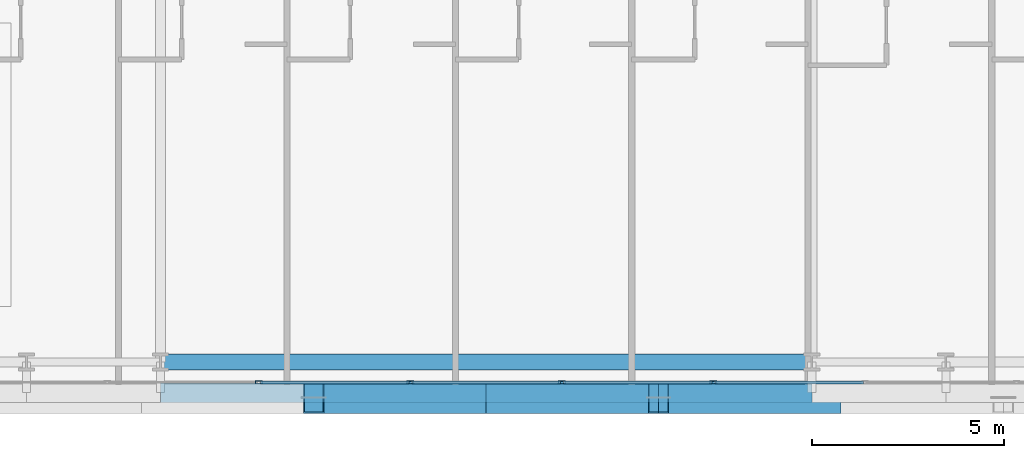
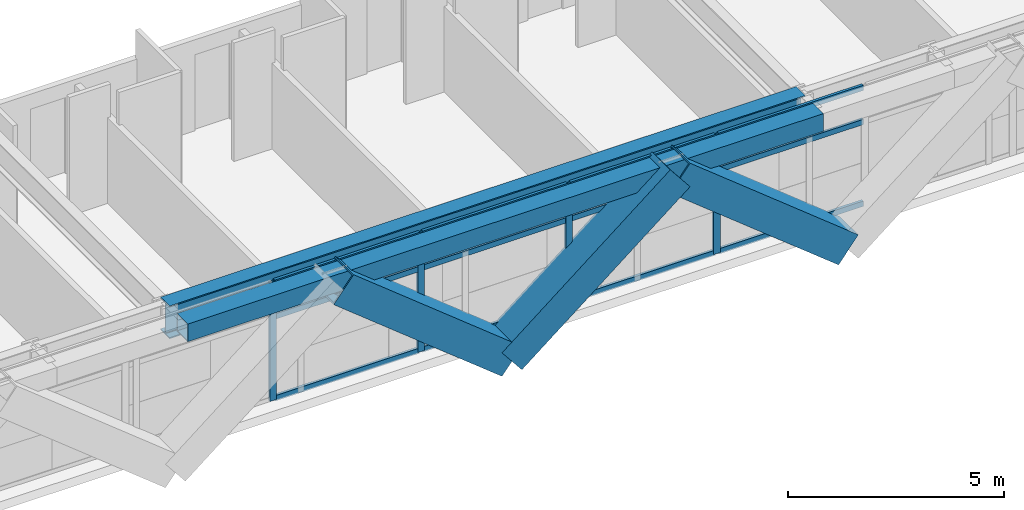
# One storey, part 5 of 36: 19 members, 2 beams, 1 element without a shape of its own.
"""IFC4 building model written with IfcOpenShell, lengths in metres."""

from ifc_helpers import new_model, si_unit, direction, frame, origin, origin_2d, place, context, subcontext, project, spatial, hollow_rectangle, i_section, extrude, source, transform, mapped, material, layer, layer_set, material_profile, profile_set, type_object, element, aggregate, save


model = new_model("IFC4")

# Units and contexts
model_context = context("Model", 3, precision=1e-05, world=origin(), true_north=direction((0.0, 1.0)))
body_context = subcontext(model_context, "Body", "Model", "MODEL_VIEW")
ifc_project = project(units=[si_unit("LENGTHUNIT", "METRE"), si_unit("AREAUNIT", "SQUARE_METRE"), si_unit("VOLUMEUNIT", "CUBIC_METRE"), si_unit("PLANEANGLEUNIT", "RADIAN"), si_unit("MASSUNIT", "GRAM", prefix="KILO")], contexts=[model_context])

# Site, building, storey
site_placement = place(None, origin())
site = spatial("IfcSite", under=ifc_project, at=site_placement, CompositionType="ELEMENT")
building_placement = place(site_placement, origin())
building = spatial("IfcBuilding", under=site, at=building_placement, Name="Ocotamira Hotel", CompositionType="ELEMENT")
storey_placement = place(building_placement, frame((0.0, 0.0, 42.0)))
storey = spatial("IfcBuildingStorey", under=building, at=storey_placement, Name="L09", CompositionType="ELEMENT", Elevation=42.0)

# Beams
ifc_material_1 = material(Name="Steel ASTM A992 Grade 50", Category="steel")
ifc_material_profile_1 = material_profile(ifc_material_1, i_section(OverallWidth=0.41796875, OverallDepth=0.927001953125, WebThickness=0.019287109375, FlangeThickness=0.031982421875, FilletRadius=0.02392578125, at=origin_2d()), Name="W36X231")
ifc_profile_set_1 = profile_set([ifc_material_profile_1], Name="Steel ASTM A992 Grade 50")
beam_type_1 = type_object("IfcBeamType", Name="BM-GIRD-W36X231", PredefinedType="BEAM", material=ifc_profile_set_1)
shared_shape_1 = source(origin(), body_context, "Body", "SweptSolid", [
    extrude(i_section(OverallWidth=0.41796875, OverallDepth=0.927001953125, WebThickness=0.019287109375, FlangeThickness=0.031982421875, FilletRadius=0.02392578125, at=origin_2d()), origin(), (0.0, 0.0, 1.0), 17.0),
])
beam_1_placement = place(storey_placement, frame((23.5, 2.949951171875, 2.886474609375), z_axis=(1.0, 0.0, 0.0), x_axis=(0.0, 1.0, 0.0)))
element("IfcBeam", 1, at=beam_1_placement, inside=storey, type_object=beam_type_1, Name="L09 Girder Y2.95 X23.5-40.5", PredefinedType="BEAM", context=body_context, shape_type="MappedRepresentation", body=[
    mapped(shared_shape_1, transform((0.0, 0.0, 0.0), scale=1.0)),
])
ifc_material_2 = material(Name="Steel ASTM A500 Grade C", Category="steel")
ifc_material_profile_2 = material_profile(ifc_material_2, hollow_rectangle(XDim=0.5, YDim=0.5, WallThickness=0.02001953125, at=origin_2d()), Name="HSS500X500X20")
ifc_profile_set_2 = profile_set([ifc_material_profile_2], Name="Steel ASTM A500 Grade C")
beam_type_2 = type_object("IfcBeamType", Name="BM-SPAN-HSS500", PredefinedType="USERDEFINED", material=ifc_profile_set_2)
shared_shape_2 = source(origin(), body_context, "Body", "SweptSolid", [
    extrude(hollow_rectangle(XDim=0.5, YDim=0.5, WallThickness=0.02001953125, at=origin_2d()), origin(), (0.0, 0.0, 1.0), 17.0),
])
beam_2_placement = place(storey_placement, frame((23.5, 2.14990234375, 3.10009765625), z_axis=(1.0, 0.0, 0.0), x_axis=(0.0, 1.0, 0.0)))
element("IfcBeam", 2, at=beam_2_placement, inside=storey, type_object=beam_type_2, Name="L09 Edge Spandrel S X23.5-40.5", ObjectType="SPANDREL", PredefinedType="USERDEFINED", context=body_context, shape_type="MappedRepresentation", body=[
    mapped(shared_shape_2, transform((0.0, 0.0, 0.0), scale=1.0)),
])

# Members
ifc_material_3 = material(Name="Pale-metal coated steel ASTM A913 Grade 65", Category="steel")
ifc_material_profile_3 = material_profile(ifc_material_3, hollow_rectangle(XDim=0.85009765625, YDim=0.85009765625, WallThickness=0.035888671875, at=origin_2d()), Name="BOX850X850X36")
ifc_profile_set_3 = profile_set([ifc_material_profile_3], Name="Pale-metal coated steel ASTM A913 Grade 65")
member_type_1 = type_object("IfcMemberType", Name="MEM-EXO-BOX850", PredefinedType="BRACE", material=ifc_profile_set_3)
shared_shape_3 = source(origin(), body_context, "Body", "SweptSolid", [
    extrude(hollow_rectangle(XDim=0.85009765625, YDim=0.85009765625, WallThickness=0.035888671875, at=origin_2d()), origin(), (0.0, 0.0, 1.0), 5.762939453125),
])
for number, where, z_axis, x_axis, name in (
    (3, (32.0, 2.030029296875, -0.5), (-0.780860543151, 0.0, 0.624705380279), (0.0, -1.0, 0.0), "L09 Exoskeleton Diagrid S1.2"),
    (4, (32.0, 2.030029296875, -0.5), (0.780860543151, 0.0, 0.624705380279), (0.0, 1.0, 0.0), "L09 Exoskeleton Diagrid S2.1"),
    (5, (41.0, 2.030029296875, -0.5), (-0.780860543151, 0.0, 0.624705380279), (0.0, -1.0, 0.0), "L09 Exoskeleton Diagrid S2.2"),
):
    element("IfcMember", number, at=place(storey_placement, frame(where, z_axis=z_axis, x_axis=x_axis)), inside=storey, type_object=member_type_1, Name=name, PredefinedType="BRACE", context=body_context, shape_type="MappedRepresentation", body=[
        mapped(shared_shape_3, transform((0.0, 0.0, 0.0), scale=1.0)),
    ])

# Curtain wall, members
ifc_material_4 = material(Name="Anodised pale-metal aluminium and solar glass", Category="aluminium")
ifc_layer = layer(ifc_material_4, 0.179931640625)
ifc_layer_set = layer_set([ifc_layer], Name="Anodised pale-metal aluminium and solar glass")
curtain_wall_type = type_object("IfcCurtainWallType", Name="CW-SYS2-Z1", PredefinedType="NOTDEFINED", material=ifc_layer_set)
curtain_wall_placement = place(storey_placement, origin())
curtain_wall = element("IfcCurtainWall", 6, at=curtain_wall_placement, inside=storey, type_object=curtain_wall_type, Name="L09 Curtain Wall CW-2 CW-L09-S1", PredefinedType="NOTDEFINED")
ifc_material_5 = material(Name="Anodised pale-metal aluminium 6063-T6", Category="aluminium")
ifc_material_profile_4 = material_profile(ifc_material_5, hollow_rectangle(XDim=0.074951171875, YDim=0.14990234375, WallThickness=0.006103515625, at=origin_2d()), Name="HSS150X75X6")
ifc_profile_set_4 = profile_set([ifc_material_profile_4], Name="Anodised pale-metal aluminium 6063-T6")
member_type_2 = type_object("IfcMemberType", Name="CWT-150X75", PredefinedType="USERDEFINED", material=ifc_profile_set_4)
shared_shape_4 = source(origin(), body_context, "Body", "SweptSolid", [
    extrude(hollow_rectangle(XDim=0.074951171875, YDim=0.14990234375, WallThickness=0.006103515625, at=origin_2d()), origin(), (0.0, 0.0, 1.0), 3.87548828125),
])
member_1_placement = place(storey_placement, frame((26.106689453125, 2.419921875, 0.03759765625), z_axis=(1.0, 0.0, 0.0), x_axis=(0.0, 1.0, 0.0)))
member_1 = element("IfcMember", 7, at=member_1_placement, type_object=member_type_2, Name="CW-2 transom 4.1", ObjectType="TRANSOM", PredefinedType="USERDEFINED", context=body_context, shape_type="MappedRepresentation", body=[
    mapped(shared_shape_4, transform((0.0, 0.0, 0.0), scale=1.0)),
])
member_2_placement = place(storey_placement, frame((26.106689453125, 2.419921875, 2.35009765625), z_axis=(1.0, 0.0, 0.0), x_axis=(0.0, 1.0, 0.0)))
member_2 = element("IfcMember", 8, at=member_2_placement, type_object=member_type_2, Name="CW-2 transom 4.2", ObjectType="TRANSOM", PredefinedType="USERDEFINED", context=body_context, shape_type="MappedRepresentation", body=[
    mapped(shared_shape_4, transform((0.0, 0.0, 0.0), scale=1.0)),
])
member_3_placement = place(storey_placement, frame((26.106689453125, 2.419921875, 3.3125), z_axis=(1.0, 0.0, 0.0), x_axis=(0.0, 1.0, 0.0)))
member_3 = element("IfcMember", 9, at=member_3_placement, type_object=member_type_2, Name="CW-2 transom 4.3", ObjectType="TRANSOM", PredefinedType="USERDEFINED", context=body_context, shape_type="MappedRepresentation", body=[
    mapped(shared_shape_4, transform((0.0, 0.0, 0.0), scale=1.0)),
])
member_4_placement = place(storey_placement, frame((30.062255859375, 2.419921875, 0.03759765625), z_axis=(1.0, 0.0, 0.0), x_axis=(0.0, 1.0, 0.0)))
member_4 = element("IfcMember", 10, at=member_4_placement, type_object=member_type_2, Name="CW-2 transom 5.1", ObjectType="TRANSOM", PredefinedType="USERDEFINED", context=body_context, shape_type="MappedRepresentation", body=[
    mapped(shared_shape_4, transform((0.0, 0.0, 0.0), scale=1.0)),
])
member_5_placement = place(storey_placement, frame((30.062255859375, 2.419921875, 2.35009765625), z_axis=(1.0, 0.0, 0.0), x_axis=(0.0, 1.0, 0.0)))
member_5 = element("IfcMember", 11, at=member_5_placement, type_object=member_type_2, Name="CW-2 transom 5.2", ObjectType="TRANSOM", PredefinedType="USERDEFINED", context=body_context, shape_type="MappedRepresentation", body=[
    mapped(shared_shape_4, transform((0.0, 0.0, 0.0), scale=1.0)),
])
member_6_placement = place(storey_placement, frame((30.062255859375, 2.419921875, 3.3125), z_axis=(1.0, 0.0, 0.0), x_axis=(0.0, 1.0, 0.0)))
member_6 = element("IfcMember", 12, at=member_6_placement, type_object=member_type_2, Name="CW-2 transom 5.3", ObjectType="TRANSOM", PredefinedType="USERDEFINED", context=body_context, shape_type="MappedRepresentation", body=[
    mapped(shared_shape_4, transform((0.0, 0.0, 0.0), scale=1.0)),
])
member_7_placement = place(storey_placement, frame((34.017822265625, 2.419921875, 0.03759765625), z_axis=(1.0, 0.0, 0.0), x_axis=(0.0, 1.0, 0.0)))
member_7 = element("IfcMember", 13, at=member_7_placement, type_object=member_type_2, Name="CW-2 transom 6.1", ObjectType="TRANSOM", PredefinedType="USERDEFINED", context=body_context, shape_type="MappedRepresentation", body=[
    mapped(shared_shape_4, transform((0.0, 0.0, 0.0), scale=1.0)),
])
member_8_placement = place(storey_placement, frame((34.017822265625, 2.419921875, 2.35009765625), z_axis=(1.0, 0.0, 0.0), x_axis=(0.0, 1.0, 0.0)))
member_8 = element("IfcMember", 14, at=member_8_placement, type_object=member_type_2, Name="CW-2 transom 6.2", ObjectType="TRANSOM", PredefinedType="USERDEFINED", context=body_context, shape_type="MappedRepresentation", body=[
    mapped(shared_shape_4, transform((0.0, 0.0, 0.0), scale=1.0)),
])
member_9_placement = place(storey_placement, frame((34.017822265625, 2.419921875, 3.3125), z_axis=(1.0, 0.0, 0.0), x_axis=(0.0, 1.0, 0.0)))
member_9 = element("IfcMember", 15, at=member_9_placement, type_object=member_type_2, Name="CW-2 transom 6.3", ObjectType="TRANSOM", PredefinedType="USERDEFINED", context=body_context, shape_type="MappedRepresentation", body=[
    mapped(shared_shape_4, transform((0.0, 0.0, 0.0), scale=1.0)),
])
member_10_placement = place(storey_placement, frame((37.973388671875, 2.419921875, 0.03759765625), z_axis=(1.0, 0.0, 0.0), x_axis=(0.0, 1.0, 0.0)))
member_10 = element("IfcMember", 16, at=member_10_placement, type_object=member_type_2, Name="CW-2 transom 7.1", ObjectType="TRANSOM", PredefinedType="USERDEFINED", context=body_context, shape_type="MappedRepresentation", body=[
    mapped(shared_shape_4, transform((0.0, 0.0, 0.0), scale=1.0)),
])
member_11_placement = place(storey_placement, frame((37.973388671875, 2.419921875, 2.35009765625), z_axis=(1.0, 0.0, 0.0), x_axis=(0.0, 1.0, 0.0)))
member_11 = element("IfcMember", 17, at=member_11_placement, type_object=member_type_2, Name="CW-2 transom 7.2", ObjectType="TRANSOM", PredefinedType="USERDEFINED", context=body_context, shape_type="MappedRepresentation", body=[
    mapped(shared_shape_4, transform((0.0, 0.0, 0.0), scale=1.0)),
])
member_12_placement = place(storey_placement, frame((37.973388671875, 2.419921875, 3.3125), z_axis=(1.0, 0.0, 0.0), x_axis=(0.0, 1.0, 0.0)))
member_12 = element("IfcMember", 18, at=member_12_placement, type_object=member_type_2, Name="CW-2 transom 7.3", ObjectType="TRANSOM", PredefinedType="USERDEFINED", context=body_context, shape_type="MappedRepresentation", body=[
    mapped(shared_shape_4, transform((0.0, 0.0, 0.0), scale=1.0)),
])
ifc_material_profile_5 = material_profile(ifc_material_5, hollow_rectangle(XDim=0.080078125, YDim=0.179931640625, WallThickness=0.006103515625, at=origin_2d()), Name="HSS180X80X6")
ifc_profile_set_5 = profile_set([ifc_material_profile_5], Name="Anodised pale-metal aluminium 6063-T6")
member_type_3 = type_object("IfcMemberType", Name="CWM-180X75", PredefinedType="MULLION", material=ifc_profile_set_5)
shared_shape_5 = source(origin(), body_context, "Body", "SweptSolid", [
    extrude(hollow_rectangle(XDim=0.080078125, YDim=0.179931640625, WallThickness=0.006103515625, at=origin_2d()), origin(), (0.0, 0.0, 1.0), 3.35009765625),
])
member_13_placement = place(storey_placement, frame((26.066650390625, 2.419921875, 0.0), z_axis=(0.0, 0.0, 1.0), x_axis=(0.0, 1.0, 0.0)))
member_13 = element("IfcMember", 19, at=member_13_placement, type_object=member_type_3, Name="CW-2 mullion 4", PredefinedType="MULLION", context=body_context, shape_type="MappedRepresentation", body=[
    mapped(shared_shape_5, transform((0.0, 0.0, 0.0), scale=1.0)),
])
member_14_placement = place(storey_placement, frame((30.022216796875, 2.419921875, 0.0), z_axis=(0.0, 0.0, 1.0), x_axis=(0.0, 1.0, 0.0)))
member_14 = element("IfcMember", 20, at=member_14_placement, type_object=member_type_3, Name="CW-2 mullion 5", PredefinedType="MULLION", context=body_context, shape_type="MappedRepresentation", body=[
    mapped(shared_shape_5, transform((0.0, 0.0, 0.0), scale=1.0)),
])
member_15_placement = place(storey_placement, frame((33.977783203125, 2.419921875, 0.0), z_axis=(0.0, 0.0, 1.0), x_axis=(0.0, 1.0, 0.0)))
member_15 = element("IfcMember", 21, at=member_15_placement, type_object=member_type_3, Name="CW-2 mullion 6", PredefinedType="MULLION", context=body_context, shape_type="MappedRepresentation", body=[
    mapped(shared_shape_5, transform((0.0, 0.0, 0.0), scale=1.0)),
])
member_16_placement = place(storey_placement, frame((37.933349609375, 2.419921875, 0.0), z_axis=(0.0, 0.0, 1.0), x_axis=(0.0, 1.0, 0.0)))
member_16 = element("IfcMember", 22, at=member_16_placement, type_object=member_type_3, Name="CW-2 mullion 7", PredefinedType="MULLION", context=body_context, shape_type="MappedRepresentation", body=[
    mapped(shared_shape_5, transform((0.0, 0.0, 0.0), scale=1.0)),
])
aggregate(curtain_wall, [member_13, member_14, member_15, member_16, member_1, member_2, member_3, member_4, member_5, member_6, member_7, member_8, member_9, member_10, member_11, member_12])

save(model, "model.ifc")
